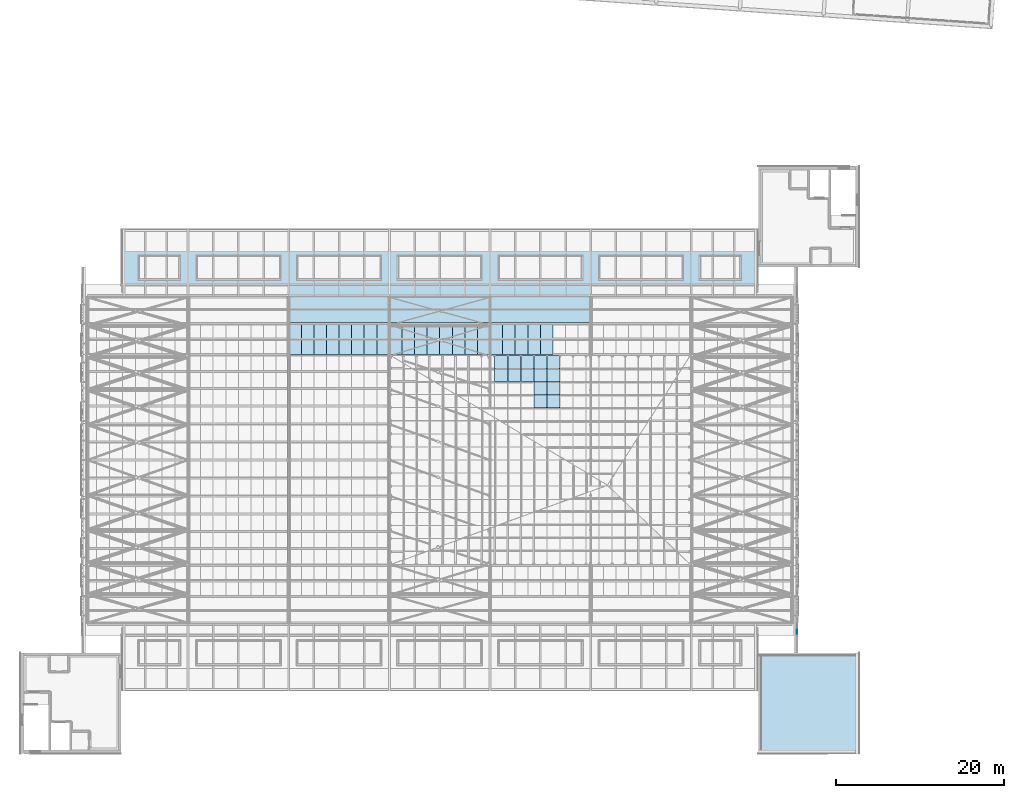
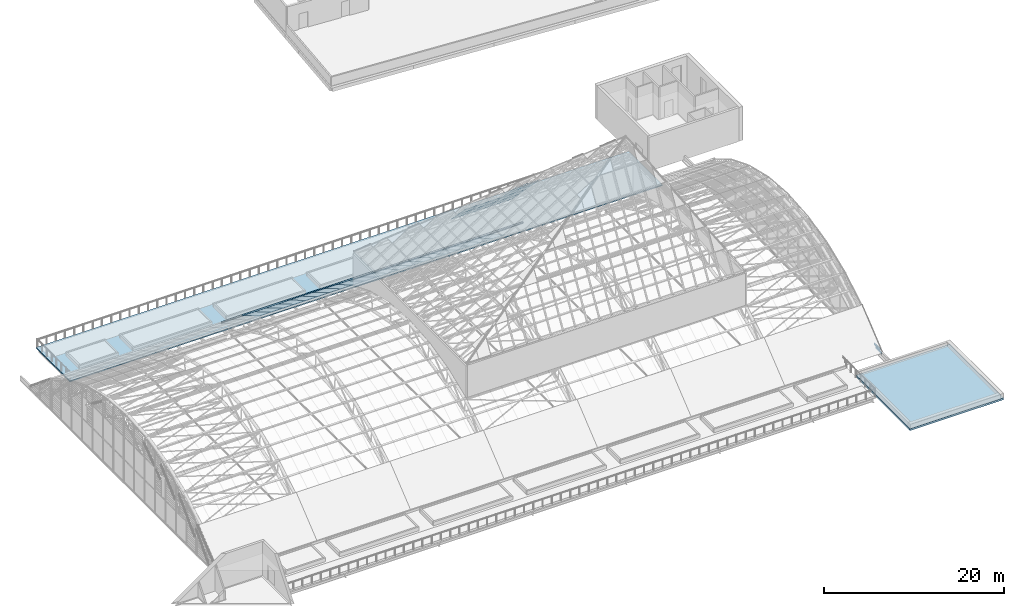
# One storey, part 59 of 110: 37 plates, 5 slabs, 1 element without a shape of its own.
"""IFC4 building model written with IfcOpenShell, lengths in metres."""

from ifc_helpers import new_model, si_unit, direction, frame, origin, place, context, subcontext, project, spatial, polyline, outline, extrude, material, layer, layer_set, type_object, element, aggregate, save


model = new_model("IFC4")

# Units and contexts
model_context = context("Model", 3, precision=1e-05, world=origin(), true_north=direction((0.0, 1.0)))
body_context = subcontext(model_context, "Body", "Model", "MODEL_VIEW")
ifc_project = project(units=[si_unit("LENGTHUNIT", "METRE"), si_unit("AREAUNIT", "SQUARE_METRE"), si_unit("VOLUMEUNIT", "CUBIC_METRE"), si_unit("PLANEANGLEUNIT", "RADIAN"), si_unit("MASSUNIT", "GRAM", prefix="KILO")], contexts=[model_context])

# Site, building, storey
site_placement = place(None, origin())
site = spatial("IfcSite", under=ifc_project, at=site_placement, CompositionType="ELEMENT")
building_placement = place(site_placement, origin())
building = spatial("IfcBuilding", under=site, at=building_placement, Name="Windward Yard Aquatics Centre", CompositionType="ELEMENT")
storey_placement = place(building_placement, frame((0.0, 0.0, 22.60009765625)))
storey = spatial("IfcBuildingStorey", under=building, at=storey_placement, Name="L05", CompositionType="ELEMENT", Elevation=22.60009765625)

# Slab
ifc_material_1 = material(Name="Bituminous waterproofing membrane with root barrier")
ifc_layer_1 = layer(ifc_material_1, 0.005, Name="Waterproofing")
ifc_material_2 = material(Name="Mineral wool insulation")
ifc_layer_2 = layer(ifc_material_2, 0.08, Name="Insulation")
ifc_material_3 = material(Name="Cement screed laid to falls")
ifc_layer_3 = layer(ifc_material_3, 0.04, Name="Falls")
ifc_material_4 = material(Name="Concrete C35/45", Category="concrete")
ifc_layer_4 = layer(ifc_material_4, 0.125, Name="Structure")
ifc_layer_set_1 = layer_set([ifc_layer_1, ifc_layer_2, ifc_layer_3, ifc_layer_4], Name="H core roof slab 250 C35/45")
slab_type_1 = type_object("IfcSlabType", Name="H core roof slab 250 C35/45", PredefinedType="ROOF", material=ifc_layer_set_1)
slab_1_placement = place(storey_placement, origin())
element("IfcSlab", 1, at=slab_1_placement, inside=storey, type_object=slab_type_1, Name="H.CR.SE", PredefinedType="ROOF", context=body_context, shape_type="SweptSolid", body=[
    extrude(outline(polyline([(140.0, 26.0), (152.0, 26.0), (152.0, 38.0), (140.0, 38.0), (140.0, 26.0)])), origin(), (0.0, 0.0, 1.0), 0.25),
])

# Curtain wall, plates
ifc_material_5 = material(Name="Glass and aluminium curtain wall", Category="aluminium")
ifc_layer_5 = layer(ifc_material_5, 0.179931640625)
ifc_layer_set_2 = layer_set([ifc_layer_5], Name="H gable glazing system double glazed 8+16+8")
curtain_wall_type = type_object("IfcCurtainWallType", Name="H gable glazing system double glazed 8+16+8", PredefinedType="NOTDEFINED", material=ifc_layer_set_2)
curtain_wall_placement = place(storey_placement, origin())
curtain_wall = element("IfcCurtainWall", 2, at=curtain_wall_placement, inside=storey, type_object=curtain_wall_type, Name="Gable glazing E", PredefinedType="NOTDEFINED")
ifc_material_6 = material(Name="Low-iron glass", Category="glass")
ifc_layer_6 = layer(ifc_material_6, 0.008, Name="Outer pane")
ifc_material_7 = material(Name="Argon-filled cavity")
ifc_layer_7 = layer(ifc_material_7, 0.016, Name="Cavity")
ifc_layer_8 = layer(ifc_material_6, 0.008, Name="Inner pane")
ifc_layer_set_3 = layer_set([ifc_layer_6, ifc_layer_7, ifc_layer_8], Name="H gable glass low-e double glazed unit 32")
plate_type_1 = type_object("IfcPlateType", Name="H gable glass low-e double glazed unit 32", PredefinedType="CURTAIN_PANEL", material=ifc_layer_set_3)
plate_1_placement = place(storey_placement, frame((144.60595703125, 40.255126953125, 0.099853515625), z_axis=(1.0, 0.0, 0.0), x_axis=(0.0, 1.0, 0.0)))
plate_1 = element("IfcPlate", 3, at=plate_1_placement, type_object=plate_type_1, Name="Gable panel 1.1a", PredefinedType="CURTAIN_PANEL", context=body_context, shape_type="SweptSolid", body=[
    extrude(outline(polyline([(0.0, 0.0), (1.380371, 0.0), (1.380371, 0.295166), (0.0, 0.295166), (0.0, 0.0)])), origin(), (0.0, 0.0, -1.0), 0.031982421875),
])
plate_2_placement = place(storey_placement, frame((144.60595703125, 40.61474609375, 0.3955078125), z_axis=(1.0, 0.0, 0.0), x_axis=(0.0, 1.0, 0.0)))
plate_2 = element("IfcPlate", 4, at=plate_2_placement, type_object=plate_type_1, Name="Gable panel 1.1b", PredefinedType="CURTAIN_PANEL", context=body_context, shape_type="SweptSolid", body=[
    extrude(outline(polyline([(0.0, 0.0), (1.283691, 0.0), (1.283691, 0.294922), (0.0, 0.294922), (0.0, 0.0)])), origin(), (0.0, 0.0, -1.0), 0.031982421875),
])
aggregate(curtain_wall, [plate_1, plate_2])

# Plates
ifc_material_8 = material(Name="Laminated low-e glass", Category="glass")
ifc_layer_9 = layer(ifc_material_8, 0.035888671875)
ifc_layer_set_4 = layer_set([ifc_layer_9], Name="H lantern glass laminated low-e 36")
plate_type_2 = type_object("IfcPlateType", Name="H lantern glass laminated low-e 36", PredefinedType="SHEET", material=ifc_layer_set_4)
plate_3_placement = place(storey_placement, frame((108.55615234375, 71.932373046875, 12.502685546875), z_axis=(0.0, 0.718439970449, 0.695588965454), x_axis=(0.0, 0.695588965454, -0.718439970449)))
element("IfcPlate", 5, at=plate_3_placement, inside=storey, type_object=plate_type_2, Name="H.LN.G.03.026", PredefinedType="SHEET", context=body_context, shape_type="SweptSolid", body=[
    extrude(outline(polyline([(0.0, 0.0), (2.23296, 0.0), (2.23296, -1.548584), (0.0, -1.548584), (0.0, 0.0)])), origin(), (0.0, 0.0, -1.0), 0.035888671875),
])
plate_4_placement = place(storey_placement, frame((108.55615234375, 70.37109375, 14.115478515625), z_axis=(0.0, 0.718492865278, 0.695534328804), x_axis=(0.0, 0.695534328804, -0.718492865278)))
element("IfcPlate", 6, at=plate_4_placement, inside=storey, type_object=plate_type_2, Name="H.LN.G.03.027", PredefinedType="SHEET", context=body_context, shape_type="SweptSolid", body=[
    extrude(outline(polyline([(0.0, 0.0), (2.233136, 0.0), (2.233136, -1.548584), (0.0, -1.548584), (0.0, 0.0)])), origin(), (0.0, 0.0, -1.0), 0.035888671875),
])
plate_5_placement = place(storey_placement, frame((110.11279296875, 71.932373046875, 12.502685546875), z_axis=(0.0, 0.718439970449, 0.695588965454), x_axis=(0.0, 0.695588965454, -0.718439970449)))
element("IfcPlate", 7, at=plate_5_placement, inside=storey, type_object=plate_type_2, Name="H.LN.G.03.032", PredefinedType="SHEET", context=body_context, shape_type="SweptSolid", body=[
    extrude(outline(polyline([(0.0, 0.0), (2.23296, 0.0), (2.23296, -1.54834), (0.0, -1.54834), (0.0, 0.0)])), origin(), (0.0, 0.0, -1.0), 0.035888671875),
])
plate_6_placement = place(storey_placement, frame((110.11279296875, 70.37109375, 14.115478515625), z_axis=(0.0, 0.718492865278, 0.695534328804), x_axis=(0.0, 0.695534328804, -0.718492865278)))
element("IfcPlate", 8, at=plate_6_placement, inside=storey, type_object=plate_type_2, Name="H.LN.G.03.033", PredefinedType="SHEET", context=body_context, shape_type="SweptSolid", body=[
    extrude(outline(polyline([(0.0, 0.0), (2.233136, 0.0), (2.233136, -1.54834), (0.0, -1.54834), (0.0, 0.0)])), origin(), (0.0, 0.0, -1.0), 0.035888671875),
])
plate_7_placement = place(storey_placement, frame((111.669189453125, 71.932373046875, 12.502685546875), z_axis=(0.0, 0.718439970449, 0.695588965454), x_axis=(0.0, 0.695588965454, -0.718439970449)))
element("IfcPlate", 9, at=plate_7_placement, inside=storey, type_object=plate_type_2, Name="H.LN.G.03.038", PredefinedType="SHEET", context=body_context, shape_type="SweptSolid", body=[
    extrude(outline(polyline([(0.0, 0.0), (2.23296, 0.0), (2.23296, -1.548584), (0.0, -1.548584), (0.0, 0.0)])), origin(), (0.0, 0.0, -1.0), 0.035888671875),
])
plate_8_placement = place(storey_placement, frame((111.669189453125, 70.37109375, 14.115478515625), z_axis=(0.0, 0.718492865278, 0.695534328804), x_axis=(0.0, 0.695534328804, -0.718492865278)))
element("IfcPlate", 10, at=plate_8_placement, inside=storey, type_object=plate_type_2, Name="H.LN.G.03.039", PredefinedType="SHEET", context=body_context, shape_type="SweptSolid", body=[
    extrude(outline(polyline([(0.0, 0.0), (2.233136, 0.0), (2.233136, -1.548584), (0.0, -1.548584), (0.0, 0.0)])), origin(), (0.0, 0.0, -1.0), 0.035888671875),
])
plate_9_placement = place(storey_placement, frame((113.2255859375, 71.932373046875, 12.502685546875), z_axis=(0.0, 0.718439970449, 0.695588965454), x_axis=(0.0, 0.695588965454, -0.718439970449)))
element("IfcPlate", 11, at=plate_9_placement, inside=storey, type_object=plate_type_2, Name="H.LN.G.03.045", PredefinedType="SHEET", context=body_context, shape_type="SweptSolid", body=[
    extrude(outline(polyline([(0.0, 0.0), (2.23296, 0.0), (2.23296, -1.548828), (0.0, -1.548828), (0.0, 0.0)])), origin(), (0.0, 0.0, -1.0), 0.035888671875),
])
plate_10_placement = place(storey_placement, frame((113.2255859375, 70.37109375, 14.115478515625), z_axis=(0.0, 0.718492865278, 0.695534328804), x_axis=(0.0, 0.695534328804, -0.718492865278)))
element("IfcPlate", 12, at=plate_10_placement, inside=storey, type_object=plate_type_2, Name="H.LN.G.03.046", PredefinedType="SHEET", context=body_context, shape_type="SweptSolid", body=[
    extrude(outline(polyline([(0.0, 0.0), (2.233136, 0.0), (2.233136, -1.548828), (0.0, -1.548828), (0.0, 0.0)])), origin(), (0.0, 0.0, -1.0), 0.035888671875),
])
plate_11_placement = place(storey_placement, frame((113.2255859375, 68.809814453125, 15.72802734375), z_axis=(0.0, 0.718439970449, 0.695588965454), x_axis=(0.0, 0.695588965454, -0.718439970449)))
element("IfcPlate", 13, at=plate_11_placement, inside=storey, type_object=plate_type_2, Name="H.LN.G.03.047", PredefinedType="SHEET", context=body_context, shape_type="SweptSolid", body=[
    extrude(outline(polyline([(0.0, 0.0), (2.23296, 0.0), (2.23296, -1.548828), (0.0, -1.548828), (0.0, 0.0)])), origin(), (0.0, 0.0, -1.0), 0.035888671875),
])
plate_12_placement = place(storey_placement, frame((113.2255859375, 67.248779296875, 17.3408203125), z_axis=(0.0, 0.718492865278, 0.695534328804), x_axis=(0.0, 0.695534328804, -0.718492865278)))
element("IfcPlate", 14, at=plate_12_placement, inside=storey, type_object=plate_type_2, Name="H.LN.G.03.048", PredefinedType="SHEET", context=body_context, shape_type="SweptSolid", body=[
    extrude(outline(polyline([(0.0, 0.0), (2.233136, 0.0), (2.233136, -1.548828), (0.0, -1.548828), (0.0, 0.0)])), origin(), (0.0, 0.0, -1.0), 0.035888671875),
])
plate_13_placement = place(storey_placement, frame((114.7822265625, 71.932373046875, 12.502685546875), z_axis=(0.0, 0.718439970449, 0.695588965454), x_axis=(0.0, 0.695588965454, -0.718439970449)))
element("IfcPlate", 15, at=plate_13_placement, inside=storey, type_object=plate_type_2, Name="H.LN.G.03.052", PredefinedType="SHEET", context=body_context, shape_type="SweptSolid", body=[
    extrude(outline(polyline([(0.0, 0.0), (2.23296, 0.0), (2.23296, -1.548584), (0.0, -1.548584), (0.0, 0.0)])), origin(), (0.0, 0.0, -1.0), 0.035888671875),
])
plate_14_placement = place(storey_placement, frame((114.7822265625, 70.37109375, 14.115478515625), z_axis=(0.0, 0.718492865278, 0.695534328804), x_axis=(0.0, 0.695534328804, -0.718492865278)))
element("IfcPlate", 16, at=plate_14_placement, inside=storey, type_object=plate_type_2, Name="H.LN.G.03.053", PredefinedType="SHEET", context=body_context, shape_type="SweptSolid", body=[
    extrude(outline(polyline([(0.0, 0.0), (2.233136, 0.0), (2.233136, -1.548584), (0.0, -1.548584), (0.0, 0.0)])), origin(), (0.0, 0.0, -1.0), 0.035888671875),
])
plate_15_placement = place(storey_placement, frame((114.7822265625, 68.809814453125, 15.72802734375), z_axis=(0.0, 0.718439970449, 0.695588965454), x_axis=(0.0, 0.695588965454, -0.718439970449)))
element("IfcPlate", 17, at=plate_15_placement, inside=storey, type_object=plate_type_2, Name="H.LN.G.03.054", PredefinedType="SHEET", context=body_context, shape_type="SweptSolid", body=[
    extrude(outline(polyline([(0.0, 0.0), (2.23296, 0.0), (2.23296, -1.548584), (0.0, -1.548584), (0.0, 0.0)])), origin(), (0.0, 0.0, -1.0), 0.035888671875),
])
plate_16_placement = place(storey_placement, frame((114.7822265625, 67.248779296875, 17.3408203125), z_axis=(0.0, 0.718492865278, 0.695534328804), x_axis=(0.0, 0.695534328804, -0.718492865278)))
element("IfcPlate", 18, at=plate_16_placement, inside=storey, type_object=plate_type_2, Name="H.LN.G.03.055", PredefinedType="SHEET", context=body_context, shape_type="SweptSolid", body=[
    extrude(outline(polyline([(0.0, 0.0), (2.233136, 0.0), (2.233136, -1.548584), (0.0, -1.548584), (0.0, 0.0)])), origin(), (0.0, 0.0, -1.0), 0.035888671875),
])

# Slabs
ifc_material_9 = material(Name="Aluminium standing seam sheet", Category="aluminium")
ifc_layer_10 = layer(ifc_material_9, 0.001, Name="Roof covering")
ifc_material_10 = material(Name="Breather membrane")
ifc_layer_11 = layer(ifc_material_10, 0.002, Name="Underlay")
ifc_layer_12 = layer(ifc_material_2, 0.1, Name="Insulation")
ifc_material_11 = material(Name="Vapour control layer")
ifc_layer_13 = layer(ifc_material_11, 0.001, Name="Vapour control")
ifc_material_12 = material(Name="Profiled galvanised steel deck", Category="steel")
ifc_layer_14 = layer(ifc_material_12, 0.046, Name="Deck")
ifc_layer_set_5 = layer_set([ifc_layer_10, ifc_layer_11, ifc_layer_12, ifc_layer_13, ifc_layer_14], Name="H standing seam roofing 150")
slab_type_2 = type_object("IfcSlabType", Name="H standing seam roofing 150", PredefinedType="ROOF", material=ifc_layer_set_5)
for number, where, z_axis, x_axis, name in (
    (19, (84.0, 26.0, 0.0), (1.0, 0.0, 0.0), (0.0, 1.0, 0.0), "Roof covering bay 3"),
    (20, (96.0, 26.0, 0.0), (1.0, 0.0, 0.0), (0.0, 1.0, 0.0), "Roof covering bay 4"),
    (21, (108.0, 26.0, 0.0), (1.0, 0.0, 0.0), (0.0, 1.0, 0.0), "Roof covering bay 5"),
):
    element("IfcSlab", number, at=place(storey_placement, frame(where, z_axis=z_axis, x_axis=x_axis)), inside=storey, type_object=slab_type_2, Name=name, PredefinedType="ROOF", context=body_context, shape_type="SweptSolid", body=[
        extrude(outline(polyline([(51.32568359375, 4.050537109375), (55.892333984375, 0.300048828125), (55.987548828125, 0.416015625), (51.411865234375, 4.173828125), (51.32568359375, 4.050537109375)])), origin(), (0.0, 0.0, 1.0), 12.0),
    ])
ifc_layer_15 = layer(ifc_material_1, 0.005, Name="Waterproofing and root barrier")
ifc_layer_16 = layer(ifc_material_3, 0.025, Name="Screed to falls")
ifc_layer_17 = layer(ifc_material_4, 0.12, Name="Structure")
ifc_layer_set_6 = layer_set([ifc_layer_15, ifc_layer_16, ifc_layer_17], Name="H terrace slab 150 C35/45")
slab_type_3 = type_object("IfcSlabType", Name="H terrace slab 150 C35/45", PredefinedType="FLOOR", material=ifc_layer_set_6)
slab_2_placement = place(storey_placement, frame((0.0, 0.0, -0.150146484375)))
element("IfcSlab", 22, at=slab_2_placement, inside=storey, type_object=slab_type_3, Name="H.T2.N", PredefinedType="FLOOR", context=body_context, shape_type="SweptSolid", body=[
    extrude(outline(polyline([(64.0, 81.0), (140.0, 81.0), (140.0, 88.5), (64.0, 88.5), (64.0, 81.0)])), origin(), (0.0, 0.0, 1.0), 0.150146484375),
])

# Plates
ifc_material_13 = material(Name="Translucent multiwall polycarbonate sheet")
ifc_layer_18 = layer(ifc_material_13, 0.031982421875)
ifc_layer_set_7 = layer_set([ifc_layer_18], Name="H translucent roof sheet multiwall polycarbonate 32")
plate_type_3 = type_object("IfcPlateType", Name="H translucent roof sheet multiwall polycarbonate 32", PredefinedType="SHEET", material=ifc_layer_set_7)
for number, where, z_axis, x_axis, name in (
    (23, (84.001953125, 26.0, 0.0), (1.0, 0.0, 0.0), (0.0, 1.0, 0.0), "Daylight roof sheet bay 3 facet 9 sheet 1"),
    (24, (85.501953125, 26.0, 0.0), (1.0, 0.0, 0.0), (0.0, 1.0, 0.0), "Daylight roof sheet bay 3 facet 9 sheet 2"),
    (25, (87.001953125, 26.0, 0.0), (1.0, 0.0, 0.0), (0.0, 1.0, 0.0), "Daylight roof sheet bay 3 facet 9 sheet 3"),
    (26, (88.501953125, 26.0, 0.0), (1.0, 0.0, 0.0), (0.0, 1.0, 0.0), "Daylight roof sheet bay 3 facet 9 sheet 4"),
    (27, (90.001953125, 26.0, 0.0), (1.0, 0.0, 0.0), (0.0, 1.0, 0.0), "Daylight roof sheet bay 3 facet 9 sheet 5"),
    (28, (91.501953125, 26.0, 0.0), (1.0, 0.0, 0.0), (0.0, 1.0, 0.0), "Daylight roof sheet bay 3 facet 9 sheet 6"),
    (29, (93.001953125, 26.0, 0.0), (1.0, 0.0, 0.0), (0.0, 1.0, 0.0), "Daylight roof sheet bay 3 facet 9 sheet 7"),
    (30, (94.501953125, 26.0, 0.0), (1.0, 0.0, 0.0), (0.0, 1.0, 0.0), "Daylight roof sheet bay 3 facet 9 sheet 8"),
    (31, (96.001953125, 26.0, 0.0), (1.0, 0.0, 0.0), (0.0, 1.0, 0.0), "Daylight roof sheet bay 4 facet 9 sheet 1"),
    (32, (97.501953125, 26.0, 0.0), (1.0, 0.0, 0.0), (0.0, 1.0, 0.0), "Daylight roof sheet bay 4 facet 9 sheet 2"),
    (33, (99.001953125, 26.0, 0.0), (1.0, 0.0, 0.0), (0.0, 1.0, 0.0), "Daylight roof sheet bay 4 facet 9 sheet 3"),
    (34, (100.501953125, 26.0, 0.0), (1.0, 0.0, 0.0), (0.0, 1.0, 0.0), "Daylight roof sheet bay 4 facet 9 sheet 4"),
    (35, (102.001953125, 26.0, 0.0), (1.0, 0.0, 0.0), (0.0, 1.0, 0.0), "Daylight roof sheet bay 4 facet 9 sheet 5"),
    (36, (103.501953125, 26.0, 0.0), (1.0, 0.0, 0.0), (0.0, 1.0, 0.0), "Daylight roof sheet bay 4 facet 9 sheet 6"),
    (37, (105.001953125, 26.0, 0.0), (1.0, 0.0, 0.0), (0.0, 1.0, 0.0), "Daylight roof sheet bay 4 facet 9 sheet 7"),
    (38, (106.501953125, 26.0, 0.0), (1.0, 0.0, 0.0), (0.0, 1.0, 0.0), "Daylight roof sheet bay 4 facet 9 sheet 8"),
    (39, (108.001953125, 26.0, 0.0), (1.0, 0.0, 0.0), (0.0, 1.0, 0.0), "Daylight roof sheet bay 5 facet 9 sheet 1"),
    (40, (109.501953125, 26.0, 0.0), (1.0, 0.0, 0.0), (0.0, 1.0, 0.0), "Daylight roof sheet bay 5 facet 9 sheet 2"),
    (41, (111.001953125, 26.0, 0.0), (1.0, 0.0, 0.0), (0.0, 1.0, 0.0), "Daylight roof sheet bay 5 facet 9 sheet 3"),
    (42, (112.501953125, 26.0, 0.0), (1.0, 0.0, 0.0), (0.0, 1.0, 0.0), "Daylight roof sheet bay 5 facet 9 sheet 4"),
    (43, (114.001953125, 26.0, 0.0), (1.0, 0.0, 0.0), (0.0, 1.0, 0.0), "Daylight roof sheet bay 5 facet 9 sheet 5"),
):
    element("IfcPlate", number, at=place(storey_placement, frame(where, z_axis=z_axis, x_axis=x_axis)), inside=storey, type_object=plate_type_3, Name=name, PredefinedType="SHEET", context=body_context, shape_type="SweptSolid", body=[
        extrude(outline(polyline([(47.58935546875, 6.2646484375), (51.32568359375, 4.050537109375), (51.343994140625, 4.076904296875), (47.603759765625, 6.29345703125), (47.58935546875, 6.2646484375)])), origin(), (0.0, 0.0, 1.0), 1.49609375),
    ])

save(model, "model.ifc")
